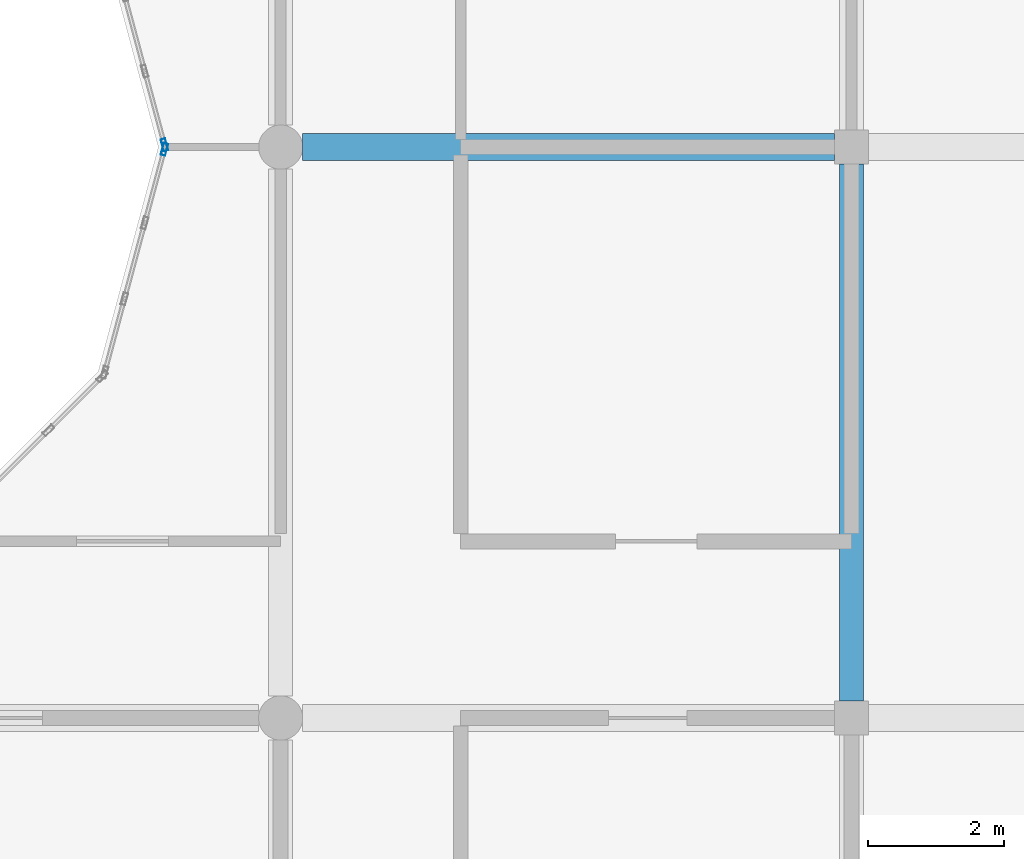
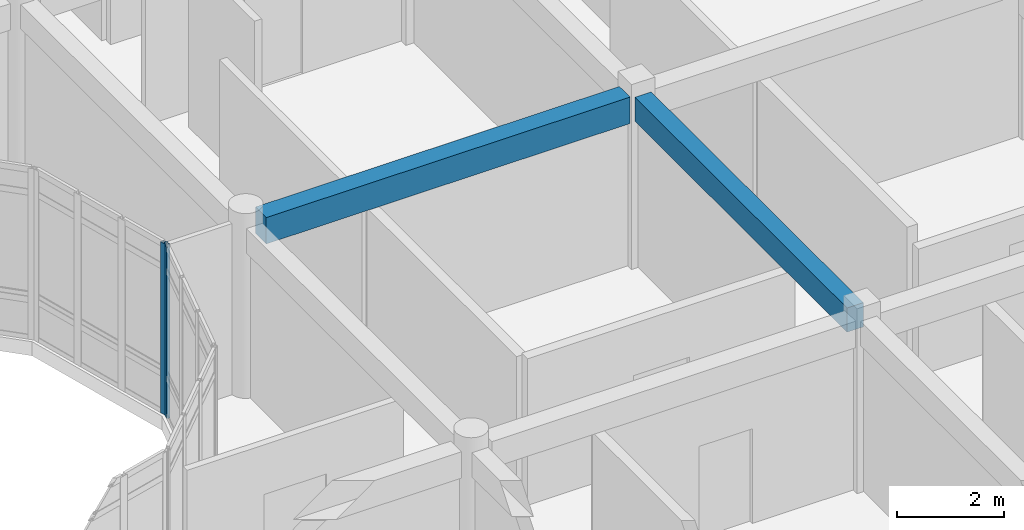
# One storey, part 25 of 119: 2 beams, 2 members, 2 elements without a shape of their own.
"""IFC4 building model written with IfcOpenShell, lengths in metres."""

from ifc_helpers import new_model, si_unit, direction, frame, origin, origin_2d, place, context, subcontext, project, spatial, rectangle, hollow_rectangle, extrude, material, layer, layer_set, material_profile, profile_set, type_object, element, aggregate, save


model = new_model("IFC4")

# Units and contexts
model_context = context("Model", 3, precision=1e-05, world=origin(), true_north=direction((0.0, 1.0)))
body_context = subcontext(model_context, "Body", "Model", "MODEL_VIEW")
ifc_project = project(units=[si_unit("LENGTHUNIT", "METRE"), si_unit("AREAUNIT", "SQUARE_METRE"), si_unit("VOLUMEUNIT", "CUBIC_METRE"), si_unit("PLANEANGLEUNIT", "RADIAN"), si_unit("MASSUNIT", "GRAM", prefix="KILO")], contexts=[model_context])

# Site, building, storey
site_placement = place(None, origin())
site = spatial("IfcSite", under=ifc_project, at=site_placement, CompositionType="ELEMENT")
building_placement = place(site_placement, origin())
building = spatial("IfcBuilding", under=site, at=building_placement, Name="Bramfleet General Hospital", CompositionType="ELEMENT")
storey_placement = place(building_placement, frame((0.0, 0.0, 14.39990234375)))
storey = spatial("IfcBuildingStorey", under=building, at=storey_placement, Name="L03", CompositionType="ELEMENT", Elevation=14.39990234375)

# Beams
ifc_material_1 = material(Name="Concrete C35/45", Category="concrete")
ifc_material_profile_1 = material_profile(ifc_material_1, rectangle(XDim=0.35009765625, YDim=0.550048828125, at=origin_2d()), Name="RC BM 550x350")
ifc_profile_set_1 = profile_set([ifc_material_profile_1], Name="Concrete C35/45")
beam_type_1 = type_object("IfcBeamType", Name="BM-RC550", PredefinedType="BEAM", material=ifc_profile_set_1)
beam_1_placement = place(storey_placement, frame((42.0, 75.85009765625, 3.614990234375), z_axis=(0.0, 1.0, 0.0), x_axis=(-1.0, 0.0, 0.0)))
element("IfcBeam", 1, at=beam_1_placement, inside=storey, type_object=beam_type_1, Name="L03 Grid Beam Y 05-09", PredefinedType="BEAM", context=body_context, shape_type="SweptSolid", body=[
    extrude(rectangle(XDim=0.35009765625, YDim=0.550048828125, at=origin_2d()), origin(), (0.0, 0.0, 1.0), 7.89990234375),
])
ifc_material_profile_2 = material_profile(ifc_material_1, rectangle(XDim=0.39990234375, YDim=0.60009765625, at=origin_2d()), Name="RC BM 600x400")
ifc_profile_set_2 = profile_set([ifc_material_profile_2], Name="Concrete C35/45")
beam_type_2 = type_object("IfcBeamType", Name="BM-RC600", PredefinedType="BEAM", material=ifc_profile_set_2)
beam_2_placement = place(storey_placement, frame((33.925048828125, 84.0, 3.590087890625), z_axis=(1.0, 0.0, 0.0), x_axis=(0.0, 1.0, 0.0)))
element("IfcBeam", 2, at=beam_2_placement, inside=storey, type_object=beam_type_2, Name="L03 Grid Beam X 04-10", PredefinedType="BEAM", context=body_context, shape_type="SweptSolid", body=[
    extrude(rectangle(XDim=0.39990234375, YDim=0.60009765625, at=origin_2d()), origin(), (0.0, 0.0, 1.0), 7.824951171875),
])

# Curtain wall, member
ifc_material_2 = material(Name="Anodised aluminium and low-E triple glazing", Category="aluminium")
ifc_layer_1 = layer(ifc_material_2, 0.179931640625, Name="CWT-CW-14")
ifc_layer_set_1 = layer_set([ifc_layer_1], Name="Anodised aluminium and low-E triple glazing")
curtain_wall_type_1 = type_object("IfcCurtainWallType", Name="CWT-CW-14", PredefinedType="USERDEFINED", material=ifc_layer_set_1)
curtain_wall_1_placement = place(storey_placement, origin())
curtain_wall_1 = element("IfcCurtainWall", 3, at=curtain_wall_1_placement, inside=storey, type_object=curtain_wall_type_1, Name="L03 West Clinical Light Court Curtain Wall 6.1", ObjectType="Stick curtain wall", PredefinedType="USERDEFINED")
ifc_material_3 = material(Name="Anodised aluminium EN AW-6060", Category="aluminium")
ifc_material_profile_3 = material_profile(ifc_material_3, hollow_rectangle(XDim=0.070068359375, YDim=0.179931640625, WallThickness=0.00390625, at=origin_2d()), Name="ALU 180x70x4.0")
ifc_profile_set_3 = profile_set([ifc_material_profile_3], Name="Anodised aluminium EN AW-6060")
member_type = type_object("IfcMemberType", Name="CWM-ALU180", PredefinedType="MULLION", material=ifc_profile_set_3)
member_1_placement = place(storey_placement, frame((31.890869140625, 83.96630859375, 0.0), z_axis=(0.0, 0.0, 1.0), x_axis=(-0.965899136003, 0.25891863407, 0.0)))
member_1 = element("IfcMember", 4, at=member_1_placement, type_object=member_type, Name="CW-14 mullion 4", PredefinedType="MULLION", context=body_context, shape_type="SweptSolid", body=[
    extrude(hollow_rectangle(XDim=0.070068359375, YDim=0.179931640625, WallThickness=0.00390625, at=origin_2d()), origin(), (0.0, 0.0, 1.0), 3.89013671875),
])
aggregate(curtain_wall_1, [member_1])

ifc_layer_2 = layer(ifc_material_2, 0.179931640625, Name="CWT-CW-15")
ifc_layer_set_2 = layer_set([ifc_layer_2], Name="Anodised aluminium and low-E triple glazing")
curtain_wall_type_2 = type_object("IfcCurtainWallType", Name="CWT-CW-15", PredefinedType="USERDEFINED", material=ifc_layer_set_2)
curtain_wall_2_placement = place(storey_placement, origin())
curtain_wall_2 = element("IfcCurtainWall", 5, at=curtain_wall_2_placement, inside=storey, type_object=curtain_wall_type_2, Name="L03 West Clinical Light Court Curtain Wall 7.1", ObjectType="Stick curtain wall", PredefinedType="USERDEFINED")
member_2_placement = place(storey_placement, frame((31.890869140625, 84.03369140625, 0.0), z_axis=(0.0, 0.0, 1.0), x_axis=(-0.965899136003, -0.25891863407, 0.0)))
member_2 = element("IfcMember", 6, at=member_2_placement, type_object=member_type, Name="CW-15 mullion 1", PredefinedType="MULLION", context=body_context, shape_type="SweptSolid", body=[
    extrude(hollow_rectangle(XDim=0.070068359375, YDim=0.179931640625, WallThickness=0.00390625, at=origin_2d()), origin(), (0.0, 0.0, 1.0), 3.89013671875),
])
aggregate(curtain_wall_2, [member_2])

save(model, "model.ifc")
